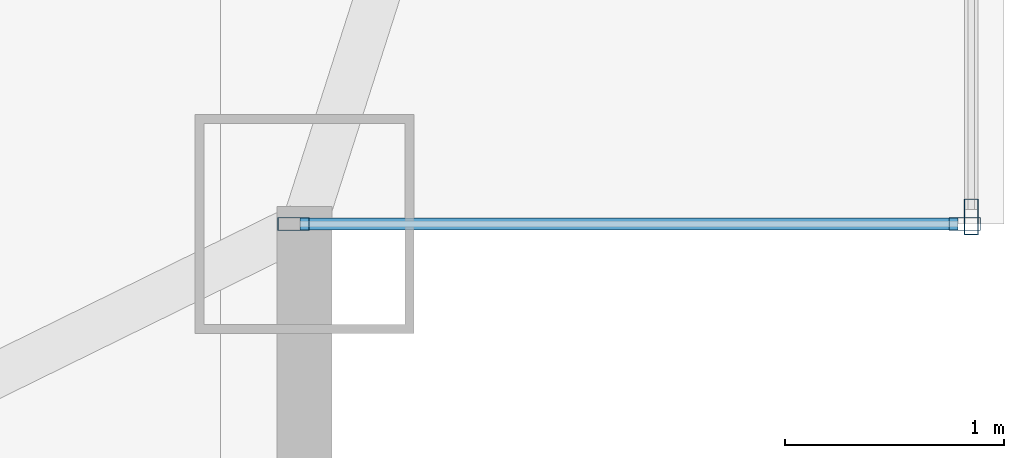
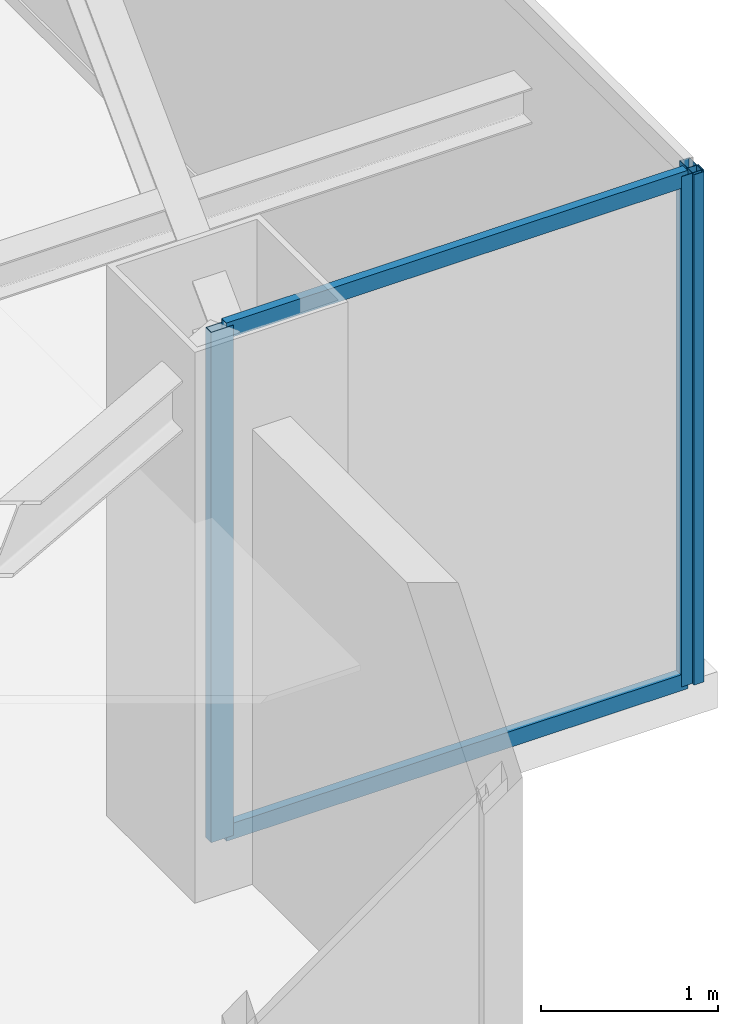
# One storey, part 12 of 21: 5 members, 2 elements without a shape of their own.
"""IFC4 building model written with IfcOpenShell, lengths in metres."""

from ifc_helpers import new_model, si_unit, direction, frame, origin, origin_2d, place, context, subcontext, project, spatial, hollow_rectangle, extrude, source, transform, mapped, material, layer, layer_set, material_profile, profile_set, type_object, type_shapes, element, aggregate, save


model = new_model("IFC4")

# Units and contexts
model_context = context("Model", 3, precision=1e-05, world=origin(), true_north=direction((0.0, 1.0)))
body_context = subcontext(model_context, "Body", "Model", "MODEL_VIEW")
ifc_project = project(units=[si_unit("LENGTHUNIT", "METRE"), si_unit("AREAUNIT", "SQUARE_METRE"), si_unit("VOLUMEUNIT", "CUBIC_METRE"), si_unit("PLANEANGLEUNIT", "RADIAN"), si_unit("MASSUNIT", "GRAM", prefix="KILO")], contexts=[model_context])

# Site, building, storey
site_placement = place(None, origin())
site = spatial("IfcSite", under=ifc_project, at=site_placement, CompositionType="ELEMENT")
building_placement = place(site_placement, origin())
building = spatial("IfcBuilding", under=site, at=building_placement, Name="Varnel Quay Broadcast Tower", CompositionType="ELEMENT")
storey_placement = place(building_placement, frame((0.0, 0.0, 296.39990234375)))
storey = spatial("IfcBuildingStorey", under=building, at=storey_placement, Name="L74", CompositionType="ELEMENT", Elevation=296.39990234375)

# Curtain wall, members
ifc_material = material(Name="Anodised Bronze Aluminium 6063-T6", Category="aluminium")
ifc_layer_1 = layer(ifc_material, 0.18994140625, Name="Anodised Bronze Aluminium 6063-T6")
ifc_layer_set_1 = layer_set([ifc_layer_1], Name="Anodised Bronze Aluminium 6063-T6")
curtain_wall_type_1 = type_object("IfcCurtainWallType", Name="CW_NotchCorner", PredefinedType="NOTDEFINED", material=ifc_layer_set_1)
curtain_wall_1_placement = place(storey_placement, origin())
curtain_wall_1 = element("IfcCurtainWall", 1, at=curtain_wall_1_placement, inside=storey, type_object=curtain_wall_type_1, Name="L74 SE Notch Curtain Wall", PredefinedType="NOTDEFINED")
ifc_material_profile_1 = material_profile(ifc_material, hollow_rectangle(XDim=0.06005859375, YDim=0.14501953125, WallThickness=0.00341796875, at=origin_2d()), Name="ALU60X145X3.5")
ifc_profile_set_1 = profile_set([ifc_material_profile_1], Name="Anodised Bronze Aluminium 6063-T6")
member_type_1 = type_object("IfcMemberType", Name="Mull_CWS-04", PredefinedType="MULLION", material=ifc_profile_set_1)
shared_shape_1 = source(origin(), body_context, "Body", "SweptSolid", [
    extrude(hollow_rectangle(XDim=0.06005859375, YDim=0.14501953125, WallThickness=0.00341796875, at=origin_2d()), origin(), (0.0, 0.0, 1.0), 3.52001953125),
])
type_shapes(member_type_1, [shared_shape_1])
member_1_placement = place(storey_placement, frame((52.75, 16.39990234375, 0.0), z_axis=(0.0, 0.0, 1.0), x_axis=(0.0, 1.0, 0.0)))
member_1 = element("IfcMember", 2, at=member_1_placement, type_object=member_type_1, Name="CWS-04 mullion 1", PredefinedType="MULLION", context=body_context, shape_type="MappedRepresentation", body=[
    mapped(shared_shape_1, transform((0.0, 0.0, 0.0), x_axis=(1.0, 0.0, 0.0), y_axis=(0.0, 1.0, 0.0), z_axis=(0.0, 0.0, 1.0), scale=1.0)),
])
member_2_placement = place(storey_placement, frame((55.820068359375, 16.39990234375, 0.0), z_axis=(0.0, 0.0, 1.0), x_axis=(0.0, 1.0, 0.0)))
member_2 = element("IfcMember", 3, at=member_2_placement, type_object=member_type_1, Name="CWS-04 mullion 2", PredefinedType="MULLION", context=body_context, shape_type="MappedRepresentation", body=[
    mapped(shared_shape_1, transform((0.0, 0.0, 0.0), x_axis=(1.0, 0.0, 0.0), y_axis=(0.0, 1.0, 0.0), z_axis=(0.0, 0.0, 1.0), scale=1.0)),
])

# Curtain wall, member
ifc_layer_2 = layer(ifc_material, 0.18994140625, Name="Anodised Bronze Aluminium 6063-T6")
ifc_layer_set_2 = layer_set([ifc_layer_2], Name="Anodised Bronze Aluminium 6063-T6")
curtain_wall_type_2 = type_object("IfcCurtainWallType", Name="CW_UpperTower", PredefinedType="NOTDEFINED", material=ifc_layer_set_2)
curtain_wall_2_placement = place(storey_placement, origin())
curtain_wall_2 = element("IfcCurtainWall", 4, at=curtain_wall_2_placement, inside=storey, type_object=curtain_wall_type_2, Name="L74 East Unitised Curtain Wall", PredefinedType="NOTDEFINED")
ifc_material_profile_2 = material_profile(ifc_material, hollow_rectangle(XDim=0.06494140625, YDim=0.1650390625, WallThickness=0.00341796875, at=origin_2d()), Name="ALU65X165X3.5")
ifc_profile_set_2 = profile_set([ifc_material_profile_2], Name="Anodised Bronze Aluminium 6063-T6")
member_type_2 = type_object("IfcMemberType", Name="Mull_CWS-03", PredefinedType="MULLION", material=ifc_profile_set_2)
shared_shape_2 = source(origin(), body_context, "Body", "SweptSolid", [
    extrude(hollow_rectangle(XDim=0.06494140625, YDim=0.1650390625, WallThickness=0.00341796875, at=origin_2d()), origin(), (0.0, 0.0, 1.0), 3.52001953125),
])
type_shapes(member_type_2, [shared_shape_2])
member_3_placement = place(storey_placement, frame((55.85009765625, 16.4326171875, 0.0), z_axis=(0.0, 0.0, 1.0), x_axis=(-1.0, 0.0, 0.0)))
member_3 = element("IfcMember", 5, at=member_3_placement, type_object=member_type_2, Name="CWS-03 mullion 1", PredefinedType="MULLION", context=body_context, shape_type="MappedRepresentation", body=[
    mapped(shared_shape_2, transform((0.0, 0.0, 0.0), x_axis=(1.0, 0.0, 0.0), y_axis=(0.0, 1.0, 0.0), z_axis=(0.0, 0.0, 1.0), scale=1.0)),
])
aggregate(curtain_wall_2, [member_3])

# Member
ifc_material_profile_3 = material_profile(ifc_material, hollow_rectangle(XDim=0.054931640625, YDim=0.110107421875, WallThickness=0.0029296875, at=origin_2d()), Name="ALU55X110X3")
ifc_profile_set_3 = profile_set([ifc_material_profile_3], Name="Anodised Bronze Aluminium 6063-T6")
member_type_3 = type_object("IfcMemberType", Name="Tran_CWS-04", PredefinedType="USERDEFINED", material=ifc_profile_set_3)
shared_shape_3 = source(origin(), body_context, "Body", "SweptSolid", [
    extrude(hollow_rectangle(XDim=0.054931640625, YDim=0.110107421875, WallThickness=0.0029296875, at=origin_2d()), origin(), (0.0, 0.0, 1.0), 3.010009765625),
])
type_shapes(member_type_3, [shared_shape_3])
member_4_placement = place(storey_placement, frame((52.780029296875, 16.39990234375, 0.027587890625), z_axis=(1.0, 0.0, 0.0), x_axis=(0.0, 1.0, 0.0)))
member_4 = element("IfcMember", 6, at=member_4_placement, type_object=member_type_3, Name="CWS-04 transom 1.1", ObjectType="TRANSOM", PredefinedType="USERDEFINED", context=body_context, shape_type="MappedRepresentation", body=[
    mapped(shared_shape_3, transform((0.0, 0.0, 0.0), x_axis=(1.0, 0.0, 0.0), y_axis=(0.0, 1.0, 0.0), z_axis=(0.0, 0.0, 1.0), scale=1.0)),
])

member_5_placement = place(storey_placement, frame((52.780029296875, 16.39990234375, 3.49267578125), z_axis=(1.0, 0.0, 0.0), x_axis=(0.0, 1.0, 0.0)))
member_5 = element("IfcMember", 7, at=member_5_placement, type_object=member_type_3, Name="CWS-04 transom 1.2", ObjectType="TRANSOM", PredefinedType="USERDEFINED", context=body_context, shape_type="MappedRepresentation", body=[
    mapped(shared_shape_3, transform((0.0, 0.0, 0.0), x_axis=(1.0, 0.0, 0.0), y_axis=(0.0, 1.0, 0.0), z_axis=(0.0, 0.0, 1.0), scale=1.0)),
])

aggregate(curtain_wall_1, [member_1, member_2, member_4, member_5])

save(model, "model.ifc")
